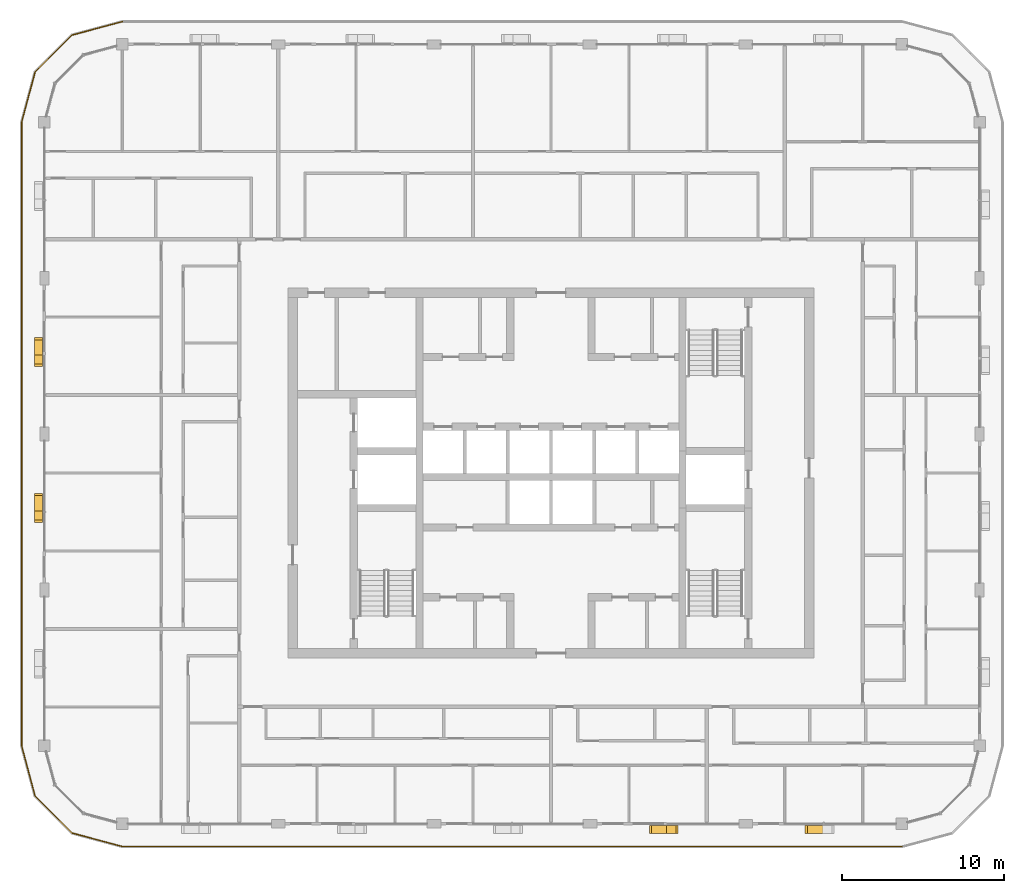
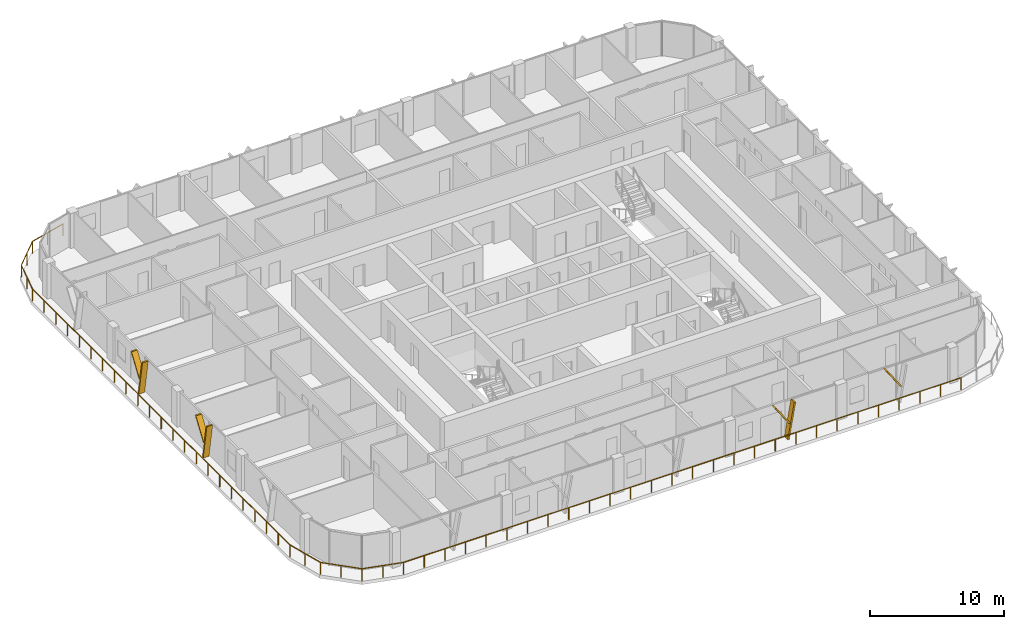
# One storey, part 17 of 21: 7 shading devices, 1 railing.
"""IFC4 building model written with IfcOpenShell, lengths in metres."""

from ifc_helpers import new_model, si_unit, direction, frame, origin, origin_2d, place, context, subcontext, project, spatial, polyline, circle, outline, extrude, material, type_object, element, save


model = new_model("IFC4")

# Units and contexts
model_context = context("Model", 3, precision=1e-05, world=origin(), true_north=direction((0.0, 1.0)))
body_context = subcontext(model_context, "Body", "Model", "MODEL_VIEW")
ifc_project = project(units=[si_unit("LENGTHUNIT", "METRE"), si_unit("AREAUNIT", "SQUARE_METRE"), si_unit("VOLUMEUNIT", "CUBIC_METRE"), si_unit("PLANEANGLEUNIT", "RADIAN"), si_unit("MASSUNIT", "GRAM", prefix="KILO")], contexts=[model_context])

# Site, building, storey
site_placement = place(None, origin())
site = spatial("IfcSite", under=ifc_project, at=site_placement, CompositionType="ELEMENT")
building_placement = place(site_placement, origin())
building = spatial("IfcBuilding", under=site, at=building_placement, Name="Madar Terraces", CompositionType="ELEMENT")
storey_placement = place(building_placement, frame((0.0, 0.0, 238.699951171875)))
storey = spatial("IfcBuildingStorey", under=building, at=storey_placement, Name="L62", CompositionType="ELEMENT", Elevation=238.699951171875)

# Railing
ifc_material_1 = material(Name="Glass, safety glazing, with stainless steel posts", Category="steel")
railing_type = type_object("IfcRailingType", Name="Balcony glass guard 1100", PredefinedType="GUARDRAIL", material=ifc_material_1)
railing_placement = place(storey_placement, frame((4.800048828125, 54.199951171875, 0.0)))
element("IfcRailing", 1, at=railing_placement, inside=storey, type_object=railing_type, Name="Balcony guard", PredefinedType="GUARDRAIL", context=body_context, shape_type="SweptSolid", body=[
    extrude(circle(Radius=0.02392578125, at=origin_2d()), frame((0.0, 0.0, 1.076171875), z_axis=(-0.9659337912, -0.258789317819, 0.0), x_axis=(0.258789317819, -0.9659337912, 0.0)), (0.0, 0.0, 1.0), 3.20947265625),
    extrude(circle(Radius=0.02392578125, at=origin_2d()), frame((-3.10009765625, -0.83056640625, 1.076171875), z_axis=(-0.707106781187, -0.707106781187, 0.0), x_axis=(0.707106781187, -0.707106781187, 0.0)), (0.0, 0.0, 1.0), 3.209228515625),
    extrude(circle(Radius=0.02392578125, at=origin_2d()), frame((-5.369384765625, -3.099853515625, 1.076171875), z_axis=(-0.258789317819, -0.9659337912, 0.0), x_axis=(0.9659337912, -0.258789317819, 0.0)), (0.0, 0.0, 1.0), 3.20947265625),
    extrude(circle(Radius=0.02392578125, at=origin_2d()), frame((-6.199951171875, -6.199951171875, 1.076171875), z_axis=(0.0, -1.0, 0.0), x_axis=(1.0, 0.0, 0.0)), (0.0, 0.0, 1.0), 38.39990234375),
    extrude(circle(Radius=0.02392578125, at=origin_2d()), frame((-6.199951171875, -44.599853515625, 1.076171875), z_axis=(0.258789317819, -0.9659337912, 0.0), x_axis=(0.9659337912, 0.258789317819, 0.0)), (0.0, 0.0, 1.0), 3.20947265625),
    extrude(circle(Radius=0.02392578125, at=origin_2d()), frame((-5.369384765625, -47.699951171875, 1.076171875), z_axis=(0.707106781187, -0.707106781187, 0.0), x_axis=(0.707106781187, 0.707106781187, 0.0)), (0.0, 0.0, 1.0), 3.209228515625),
    extrude(circle(Radius=0.02392578125, at=origin_2d()), frame((-3.10009765625, -49.96923828125, 1.076171875), z_axis=(0.965914773555, -0.258860290944, 0.0), x_axis=(0.258860290944, 0.965914773555, 0.0)), (0.0, 0.0, 1.0), 3.20947265625),
    extrude(circle(Radius=0.02392578125, at=origin_2d()), frame((0.0, -50.800048828125, 1.076171875), z_axis=(1.0, 0.0, 0.0), x_axis=(0.0, 1.0, 0.0)), (0.0, 0.0, 1.0), 48.0),
    extrude(circle(Radius=0.02099609375, at=origin_2d()), origin(), (0.0, 0.0, 1.0), 1.052001953125),
    extrude(circle(Radius=0.02099609375, at=origin_2d()), frame((-1.550048828125, -0.415283203125, 0.0)), (0.0, 0.0, 1.0), 1.052001953125),
    extrude(circle(Radius=0.02099609375, at=origin_2d()), frame((-3.10009765625, -0.83056640625, 0.0)), (0.0, 0.0, 1.0), 1.052001953125),
    extrude(circle(Radius=0.02099609375, at=origin_2d()), frame((-4.23486328125, -1.96533203125, 0.0)), (0.0, 0.0, 1.0), 1.052001953125),
    extrude(circle(Radius=0.02099609375, at=origin_2d()), frame((-5.369384765625, -3.099853515625, 0.0)), (0.0, 0.0, 1.0), 1.052001953125),
    extrude(circle(Radius=0.02099609375, at=origin_2d()), frame((-5.78466796875, -4.64990234375, 0.0)), (0.0, 0.0, 1.0), 1.052001953125),
    extrude(circle(Radius=0.02099609375, at=origin_2d()), frame((-6.199951171875, -6.199951171875, 0.0)), (0.0, 0.0, 1.0), 1.052001953125),
    extrude(circle(Radius=0.02099609375, at=origin_2d()), frame((-6.199951171875, -7.9453125, 0.0)), (0.0, 0.0, 1.0), 1.052001953125),
    extrude(circle(Radius=0.02099609375, at=origin_2d()), frame((-6.199951171875, -9.69091796875, 0.0)), (0.0, 0.0, 1.0), 1.052001953125),
    extrude(circle(Radius=0.02099609375, at=origin_2d()), frame((-6.199951171875, -11.436279296875, 0.0)), (0.0, 0.0, 1.0), 1.052001953125),
    extrude(circle(Radius=0.02099609375, at=origin_2d()), frame((-6.199951171875, -13.181640625, 0.0)), (0.0, 0.0, 1.0), 1.052001953125),
    extrude(circle(Radius=0.02099609375, at=origin_2d()), frame((-6.199951171875, -14.92724609375, 0.0)), (0.0, 0.0, 1.0), 1.052001953125),
    extrude(circle(Radius=0.02099609375, at=origin_2d()), frame((-6.199951171875, -16.672607421875, 0.0)), (0.0, 0.0, 1.0), 1.052001953125),
    extrude(circle(Radius=0.02099609375, at=origin_2d()), frame((-6.199951171875, -18.418212890625, 0.0)), (0.0, 0.0, 1.0), 1.052001953125),
    extrude(circle(Radius=0.02099609375, at=origin_2d()), frame((-6.199951171875, -20.16357421875, 0.0)), (0.0, 0.0, 1.0), 1.052001953125),
    extrude(circle(Radius=0.02099609375, at=origin_2d()), frame((-6.199951171875, -21.908935546875, 0.0)), (0.0, 0.0, 1.0), 1.052001953125),
    extrude(circle(Radius=0.02099609375, at=origin_2d()), frame((-6.199951171875, -23.654541015625, 0.0)), (0.0, 0.0, 1.0), 1.052001953125),
    extrude(circle(Radius=0.02099609375, at=origin_2d()), frame((-6.199951171875, -25.39990234375, 0.0)), (0.0, 0.0, 1.0), 1.052001953125),
    extrude(circle(Radius=0.02099609375, at=origin_2d()), frame((-6.199951171875, -27.145263671875, 0.0)), (0.0, 0.0, 1.0), 1.052001953125),
    extrude(circle(Radius=0.02099609375, at=origin_2d()), frame((-6.199951171875, -28.890869140625, 0.0)), (0.0, 0.0, 1.0), 1.052001953125),
    extrude(circle(Radius=0.02099609375, at=origin_2d()), frame((-6.199951171875, -30.63623046875, 0.0)), (0.0, 0.0, 1.0), 1.052001953125),
    extrude(circle(Radius=0.02099609375, at=origin_2d()), frame((-6.199951171875, -32.381591796875, 0.0)), (0.0, 0.0, 1.0), 1.052001953125),
    extrude(circle(Radius=0.02099609375, at=origin_2d()), frame((-6.199951171875, -34.127197265625, 0.0)), (0.0, 0.0, 1.0), 1.052001953125),
    extrude(circle(Radius=0.02099609375, at=origin_2d()), frame((-6.199951171875, -35.87255859375, 0.0)), (0.0, 0.0, 1.0), 1.052001953125),
    extrude(circle(Radius=0.02099609375, at=origin_2d()), frame((-6.199951171875, -37.6181640625, 0.0)), (0.0, 0.0, 1.0), 1.052001953125),
    extrude(circle(Radius=0.02099609375, at=origin_2d()), frame((-6.199951171875, -39.363525390625, 0.0)), (0.0, 0.0, 1.0), 1.052001953125),
    extrude(circle(Radius=0.02099609375, at=origin_2d()), frame((-6.199951171875, -41.10888671875, 0.0)), (0.0, 0.0, 1.0), 1.052001953125),
    extrude(circle(Radius=0.02099609375, at=origin_2d()), frame((-6.199951171875, -42.8544921875, 0.0)), (0.0, 0.0, 1.0), 1.052001953125),
    extrude(circle(Radius=0.02099609375, at=origin_2d()), frame((-6.199951171875, -44.599853515625, 0.0)), (0.0, 0.0, 1.0), 1.052001953125),
    extrude(circle(Radius=0.02099609375, at=origin_2d()), frame((-5.78466796875, -46.14990234375, 0.0)), (0.0, 0.0, 1.0), 1.052001953125),
    extrude(circle(Radius=0.02099609375, at=origin_2d()), frame((-5.369384765625, -47.699951171875, 0.0)), (0.0, 0.0, 1.0), 1.052001953125),
    extrude(circle(Radius=0.02099609375, at=origin_2d()), frame((-4.23486328125, -48.83447265625, 0.0)), (0.0, 0.0, 1.0), 1.052001953125),
    extrude(circle(Radius=0.02099609375, at=origin_2d()), frame((-3.10009765625, -49.96923828125, 0.0)), (0.0, 0.0, 1.0), 1.052001953125),
    extrude(circle(Radius=0.02099609375, at=origin_2d()), frame((-1.550048828125, -50.384765625, 0.0)), (0.0, 0.0, 1.0), 1.052001953125),
    extrude(circle(Radius=0.02099609375, at=origin_2d()), frame((0.0, -50.800048828125, 0.0)), (0.0, 0.0, 1.0), 1.052001953125),
    extrude(circle(Radius=0.02099609375, at=origin_2d()), frame((1.77783203125, -50.800048828125, 0.0)), (0.0, 0.0, 1.0), 1.052001953125),
    extrude(circle(Radius=0.02099609375, at=origin_2d()), frame((3.5556640625, -50.800048828125, 0.0)), (0.0, 0.0, 1.0), 1.052001953125),
    extrude(circle(Radius=0.02099609375, at=origin_2d()), frame((5.333251953125, -50.800048828125, 0.0)), (0.0, 0.0, 1.0), 1.052001953125),
    extrude(circle(Radius=0.02099609375, at=origin_2d()), frame((7.111083984375, -50.800048828125, 0.0)), (0.0, 0.0, 1.0), 1.052001953125),
    extrude(circle(Radius=0.02099609375, at=origin_2d()), frame((8.888916015625, -50.800048828125, 0.0)), (0.0, 0.0, 1.0), 1.052001953125),
    extrude(circle(Radius=0.02099609375, at=origin_2d()), frame((10.666748046875, -50.800048828125, 0.0)), (0.0, 0.0, 1.0), 1.052001953125),
    extrude(circle(Radius=0.02099609375, at=origin_2d()), frame((12.4443359375, -50.800048828125, 0.0)), (0.0, 0.0, 1.0), 1.052001953125),
    extrude(circle(Radius=0.02099609375, at=origin_2d()), frame((14.22216796875, -50.800048828125, 0.0)), (0.0, 0.0, 1.0), 1.052001953125),
    extrude(circle(Radius=0.02099609375, at=origin_2d()), frame((16.0, -50.800048828125, 0.0)), (0.0, 0.0, 1.0), 1.052001953125),
    extrude(circle(Radius=0.02099609375, at=origin_2d()), frame((17.77783203125, -50.800048828125, 0.0)), (0.0, 0.0, 1.0), 1.052001953125),
    extrude(circle(Radius=0.02099609375, at=origin_2d()), frame((19.5556640625, -50.800048828125, 0.0)), (0.0, 0.0, 1.0), 1.052001953125),
    extrude(circle(Radius=0.02099609375, at=origin_2d()), frame((21.333251953125, -50.800048828125, 0.0)), (0.0, 0.0, 1.0), 1.052001953125),
    extrude(circle(Radius=0.02099609375, at=origin_2d()), frame((23.111083984375, -50.800048828125, 0.0)), (0.0, 0.0, 1.0), 1.052001953125),
    extrude(circle(Radius=0.02099609375, at=origin_2d()), frame((24.888916015625, -50.800048828125, 0.0)), (0.0, 0.0, 1.0), 1.052001953125),
    extrude(circle(Radius=0.02099609375, at=origin_2d()), frame((26.666748046875, -50.800048828125, 0.0)), (0.0, 0.0, 1.0), 1.052001953125),
    extrude(circle(Radius=0.02099609375, at=origin_2d()), frame((28.4443359375, -50.800048828125, 0.0)), (0.0, 0.0, 1.0), 1.052001953125),
    extrude(circle(Radius=0.02099609375, at=origin_2d()), frame((30.22216796875, -50.800048828125, 0.0)), (0.0, 0.0, 1.0), 1.052001953125),
    extrude(circle(Radius=0.02099609375, at=origin_2d()), frame((32.0, -50.800048828125, 0.0)), (0.0, 0.0, 1.0), 1.052001953125),
    extrude(circle(Radius=0.02099609375, at=origin_2d()), frame((33.77783203125, -50.800048828125, 0.0)), (0.0, 0.0, 1.0), 1.052001953125),
    extrude(circle(Radius=0.02099609375, at=origin_2d()), frame((35.5556640625, -50.800048828125, 0.0)), (0.0, 0.0, 1.0), 1.052001953125),
    extrude(circle(Radius=0.02099609375, at=origin_2d()), frame((37.333251953125, -50.800048828125, 0.0)), (0.0, 0.0, 1.0), 1.052001953125),
    extrude(circle(Radius=0.02099609375, at=origin_2d()), frame((39.111083984375, -50.800048828125, 0.0)), (0.0, 0.0, 1.0), 1.052001953125),
    extrude(circle(Radius=0.02099609375, at=origin_2d()), frame((40.888916015625, -50.800048828125, 0.0)), (0.0, 0.0, 1.0), 1.052001953125),
    extrude(circle(Radius=0.02099609375, at=origin_2d()), frame((42.666748046875, -50.800048828125, 0.0)), (0.0, 0.0, 1.0), 1.052001953125),
    extrude(circle(Radius=0.02099609375, at=origin_2d()), frame((44.4443359375, -50.800048828125, 0.0)), (0.0, 0.0, 1.0), 1.052001953125),
    extrude(circle(Radius=0.02099609375, at=origin_2d()), frame((46.22216796875, -50.800048828125, 0.0)), (0.0, 0.0, 1.0), 1.052001953125),
    extrude(circle(Radius=0.02099609375, at=origin_2d()), frame((48.0, -50.800048828125, 0.0)), (0.0, 0.0, 1.0), 1.052001953125),
])

# Shading devices
ifc_material_2 = material(Name="Aluminium, black anodised", Category="aluminium")
shading_device_type = type_object("IfcShadingDeviceType", Name="Facade fin blade 140 x 500", PredefinedType="USERDEFINED", material=ifc_material_2)
shading_device_1_placement = place(storey_placement, frame((38.330078125, 4.449951171875, 0.0), z_axis=(0.0, 0.0, 1.0), x_axis=(1.0, 0.0, 0.0)))
element("IfcShadingDevice", 2, at=shading_device_1_placement, inside=storey, type_object=shading_device_type, Name="FIN L62 S4", ObjectType="FIN", PredefinedType="USERDEFINED", context=body_context, shape_type="SweptSolid", body=[
    extrude(outline(polyline([(0.0, 0.0), (0.139892578125, 0.0), (0.704345703125, 3.199951171875), (0.564208984375, 3.199951171875), (0.0, 0.0)])), frame((0.0, 0.25, 0.0), z_axis=(0.0, -1.0, 0.0), x_axis=(1.0, 0.0, 0.0)), (0.0, 0.0, 1.0), 0.5),
])
shading_device_2_placement = place(storey_placement, frame((38.44384765625, 4.449951171875, 1.43994140625), z_axis=(0.0, 0.0, 1.0), x_axis=(1.0, 0.0, 0.0)))
element("IfcShadingDevice", 3, at=shading_device_2_placement, inside=storey, type_object=shading_device_type, Name="FIN L62 S4 branch", ObjectType="FIN", PredefinedType="USERDEFINED", context=body_context, shape_type="SweptSolid", body=[
    extrude(outline(polyline([(0.0, 0.0), (0.14013671875, 0.0), (-1.049560546875, 1.760009765625), (-1.189697265625, 1.760009765625), (0.0, 0.0)])), frame((0.0, 0.25, 0.0), z_axis=(0.0, -1.0, 0.0), x_axis=(1.0, 0.0, 0.0)), (0.0, 0.0, 1.0), 0.5),
])
shading_device_3_placement = place(storey_placement, frame((48.0439453125, 4.449951171875, 1.43994140625), z_axis=(0.0, 0.0, 1.0), x_axis=(1.0, 0.0, 0.0)))
element("IfcShadingDevice", 4, at=shading_device_3_placement, inside=storey, type_object=shading_device_type, Name="FIN L62 S5 branch", ObjectType="FIN", PredefinedType="USERDEFINED", context=body_context, shape_type="SweptSolid", body=[
    extrude(outline(polyline([(0.0, 0.0), (0.139892578125, 0.0), (-1.049560546875, 1.760009765625), (-1.189697265625, 1.760009765625), (0.0, 0.0)])), frame((0.0, 0.25, 0.0), z_axis=(0.0, -1.0, 0.0), x_axis=(1.0, 0.0, 0.0)), (0.0, 0.0, 1.0), 0.5),
])
shading_device_4_placement = place(storey_placement, frame((-0.35009765625, 33.669921875, 0.0), z_axis=(0.0, 0.0, 1.0), x_axis=(0.0, -1.0, 0.0)))
element("IfcShadingDevice", 5, at=shading_device_4_placement, inside=storey, type_object=shading_device_type, Name="FIN L62 W2", ObjectType="FIN", PredefinedType="USERDEFINED", context=body_context, shape_type="SweptSolid", body=[
    extrude(outline(polyline([(0.0, 0.0), (0.139892578125, 0.0), (0.704345703125, 3.199951171875), (0.564208984375, 3.199951171875), (0.0, 0.0)])), frame((0.0, 0.25, 0.0), z_axis=(0.0, -1.0, 0.0), x_axis=(1.0, 0.0, 0.0)), (0.0, 0.0, 1.0), 0.5),
])
shading_device_5_placement = place(storey_placement, frame((-0.35009765625, 33.55615234375, 1.43994140625), z_axis=(0.0, 0.0, 1.0), x_axis=(0.0, -1.0, 0.0)))
element("IfcShadingDevice", 6, at=shading_device_5_placement, inside=storey, type_object=shading_device_type, Name="FIN L62 W2 branch", ObjectType="FIN", PredefinedType="USERDEFINED", context=body_context, shape_type="SweptSolid", body=[
    extrude(outline(polyline([(0.0, 0.0), (0.14013671875, 0.0), (-1.049560546875, 1.760009765625), (-1.189697265625, 1.760009765625), (0.0, 0.0)])), frame((0.0, 0.25, 0.0), z_axis=(0.0, -1.0, 0.0), x_axis=(1.0, 0.0, 0.0)), (0.0, 0.0, 1.0), 0.5),
])
shading_device_6_placement = place(storey_placement, frame((-0.35009765625, 24.070068359375, 0.0), z_axis=(0.0, 0.0, 1.0), x_axis=(0.0, -1.0, 0.0)))
element("IfcShadingDevice", 7, at=shading_device_6_placement, inside=storey, type_object=shading_device_type, Name="FIN L62 W3", ObjectType="FIN", PredefinedType="USERDEFINED", context=body_context, shape_type="SweptSolid", body=[
    extrude(outline(polyline([(0.0, 0.0), (0.14013671875, 0.0), (0.704345703125, 3.199951171875), (0.564208984375, 3.199951171875), (0.0, 0.0)])), frame((0.0, 0.25, 0.0), z_axis=(0.0, -1.0, 0.0), x_axis=(1.0, 0.0, 0.0)), (0.0, 0.0, 1.0), 0.5),
])
shading_device_7_placement = place(storey_placement, frame((-0.35009765625, 23.9560546875, 1.43994140625), z_axis=(0.0, 0.0, 1.0), x_axis=(0.0, -1.0, 0.0)))
element("IfcShadingDevice", 8, at=shading_device_7_placement, inside=storey, type_object=shading_device_type, Name="FIN L62 W3 branch", ObjectType="FIN", PredefinedType="USERDEFINED", context=body_context, shape_type="SweptSolid", body=[
    extrude(outline(polyline([(0.0, 0.0), (0.139892578125, 0.0), (-1.049560546875, 1.760009765625), (-1.189697265625, 1.760009765625), (0.0, 0.0)])), frame((0.0, 0.25, 0.0), z_axis=(0.0, -1.0, 0.0), x_axis=(1.0, 0.0, 0.0)), (0.0, 0.0, 1.0), 0.5),
])

save(model, "model.ifc")
